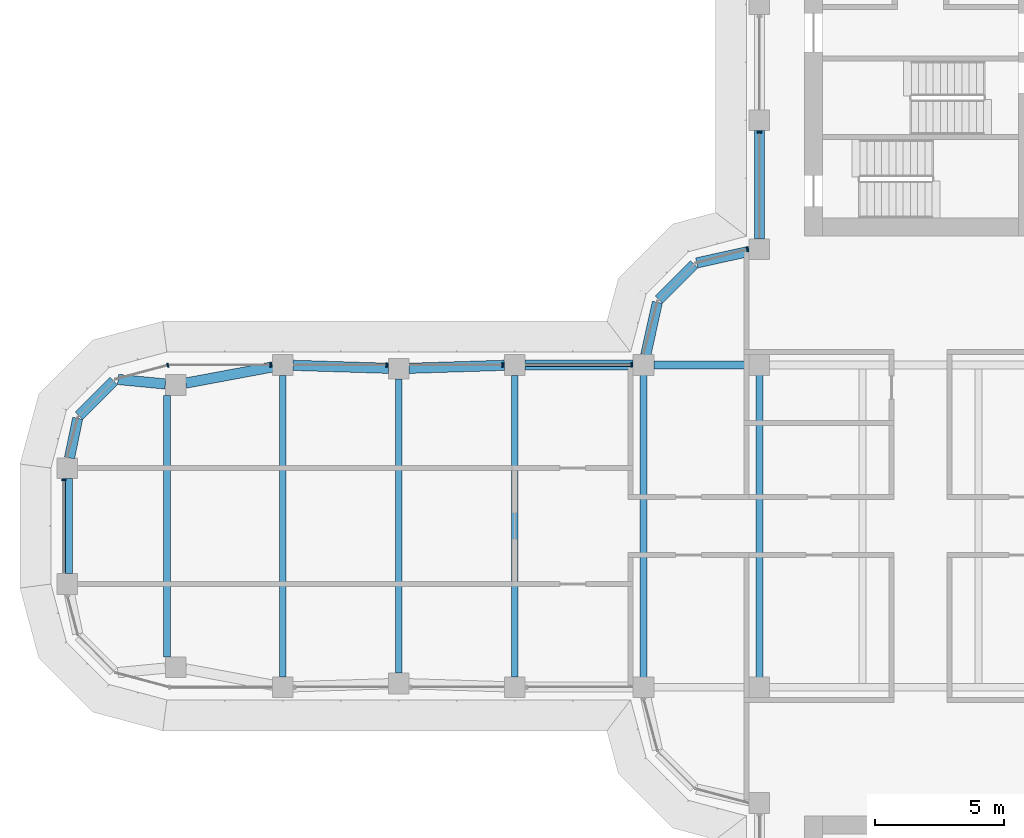
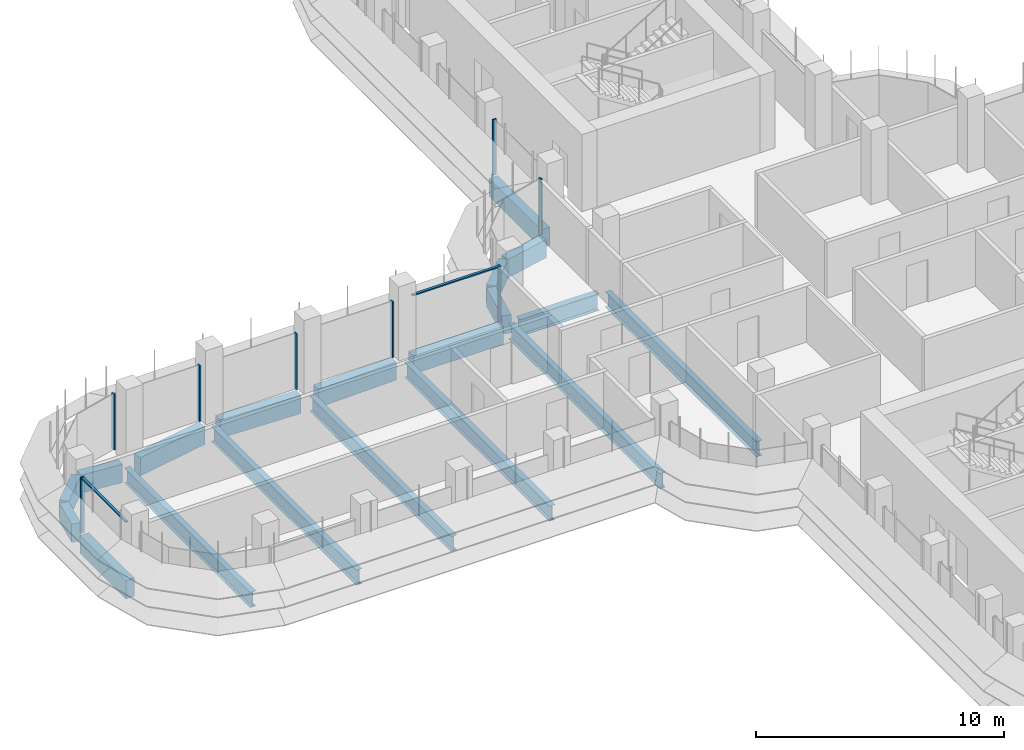
# One storey, part 6 of 20: 19 beams, 10 members, 5 elements without a shape of their own.
"""IFC4 building model written with IfcOpenShell, lengths in metres."""

from ifc_helpers import new_model, si_unit, direction, frame, origin, origin_2d, place, context, subcontext, project, spatial, polyline, rectangle, i_section, outline, extrude, source, transform, mapped, material, material_profile, profile_set, type_object, element, aggregate, save


model = new_model("IFC4")

# Units and contexts
model_context = context("Model", 3, precision=1e-05, world=origin(), true_north=direction((0.0, 1.0)))
body_context = subcontext(model_context, "Body", "Model", "MODEL_VIEW")
ifc_project = project(units=[si_unit("LENGTHUNIT", "METRE"), si_unit("AREAUNIT", "SQUARE_METRE"), si_unit("VOLUMEUNIT", "CUBIC_METRE"), si_unit("PLANEANGLEUNIT", "RADIAN"), si_unit("MASSUNIT", "GRAM", prefix="KILO")], contexts=[model_context])

# Site, building, storey
site_placement = place(None, origin())
site = spatial("IfcSite", under=ifc_project, at=site_placement, CompositionType="ELEMENT")
building_placement = place(site_placement, origin())
building = spatial("IfcBuilding", under=site, at=building_placement, Name="Zarbagh Exchange Tower", CompositionType="ELEMENT")
storey_placement = place(building_placement, frame((0.0, 0.0, 156.199951171875)))
storey = spatial("IfcBuildingStorey", under=building, at=storey_placement, Name="L37", CompositionType="ELEMENT", Elevation=156.199951171875)

# Beams
ifc_material_1 = material(Name="Steel ASTM A992 Gr 50", Category="steel")
ifc_material_profile_1 = material_profile(ifc_material_1, i_section(OverallWidth=0.26416015625, OverallDepth=0.749267578125, WebThickness=0.011962890625, FlangeThickness=0.015380859375, at=origin_2d()), Name="W30X90")
ifc_profile_set_1 = profile_set([ifc_material_profile_1], Name="Steel ASTM A992 Gr 50")
beam_type_1 = type_object("IfcBeamType", Name="Floor beam W30X90", PredefinedType="BEAM", material=ifc_profile_set_1)
for number, where, z_axis, x_axis, name in (
    (1, (-10.75, -6.10400390625, -0.524658203125), (0.0, 1.0, 0.0), (-1.0, 0.0, 0.0), "Steel floor beam"),
    (2, (-6.25, -6.10400390625, -0.524658203125), (0.0, 1.0, 0.0), (-1.0, 0.0, 0.0), "Steel floor beam"),
):
    element("IfcBeam", number, at=place(storey_placement, frame(where, z_axis=z_axis, x_axis=x_axis)), inside=storey, type_object=beam_type_1, Name=name, PredefinedType="BEAM", context=body_context, shape_type="SweptSolid", body=[
        extrude(i_section(OverallWidth=0.26416015625, OverallDepth=0.749267578125, WebThickness=0.011962890625, FlangeThickness=0.015380859375, at=origin_2d()), origin(), (0.0, 0.0, 1.0), 12.2080078125),
    ])
beam_1_placement = place(storey_placement, frame((-15.75, -5.85009765625, -0.524658203125), z_axis=(0.0, 1.0, 0.0), x_axis=(-1.0, 0.0, 0.0)))
element("IfcBeam", 3, at=beam_1_placement, inside=storey, type_object=beam_type_1, Name="Steel floor beam", PredefinedType="BEAM", context=body_context, shape_type="SweptSolid", body=[
    extrude(i_section(OverallWidth=0.26416015625, OverallDepth=0.749267578125, WebThickness=0.011962890625, FlangeThickness=0.015380859375, at=origin_2d()), origin(), (0.0, 0.0, 1.0), 11.7001953125),
])
beam_2_placement = place(storey_placement, frame((-20.25, -5.7099609375, -0.524658203125), z_axis=(0.0, 1.0, 0.0), x_axis=(-1.0, 0.0, 0.0)))
element("IfcBeam", 4, at=beam_2_placement, inside=storey, type_object=beam_type_1, Name="Steel floor beam", PredefinedType="BEAM", context=body_context, shape_type="SweptSolid", body=[
    extrude(i_section(OverallWidth=0.26416015625, OverallDepth=0.749267578125, WebThickness=0.011962890625, FlangeThickness=0.015380859375, at=origin_2d()), origin(), (0.0, 0.0, 1.0), 11.419921875),
])
beam_3_placement = place(storey_placement, frame((-24.75, -5.85009765625, -0.524658203125), z_axis=(0.0, 1.0, 0.0), x_axis=(-1.0, 0.0, 0.0)))
element("IfcBeam", 5, at=beam_3_placement, inside=storey, type_object=beam_type_1, Name="Steel floor beam", PredefinedType="BEAM", context=body_context, shape_type="SweptSolid", body=[
    extrude(i_section(OverallWidth=0.26416015625, OverallDepth=0.749267578125, WebThickness=0.011962890625, FlangeThickness=0.015380859375, at=origin_2d()), origin(), (0.0, 0.0, 1.0), 11.7001953125),
])
beam_4_placement = place(storey_placement, frame((-29.25, -5.074951171875, -0.524658203125), z_axis=(0.0, 1.0, 0.0), x_axis=(-1.0, 0.0, 0.0)))
element("IfcBeam", 6, at=beam_4_placement, inside=storey, type_object=beam_type_1, Name="Steel floor beam", PredefinedType="BEAM", context=body_context, shape_type="SweptSolid", body=[
    extrude(i_section(OverallWidth=0.26416015625, OverallDepth=0.749267578125, WebThickness=0.011962890625, FlangeThickness=0.015380859375, at=origin_2d()), origin(), (0.0, 0.0, 1.0), 10.14990234375),
])
ifc_material_profile_2 = material_profile(ifc_material_1, i_section(OverallWidth=0.2919921875, OverallDepth=0.835693359375, WebThickness=0.013916015625, FlangeThickness=0.018798828125, at=origin_2d()), Name="W33X118")
ifc_profile_set_2 = profile_set([ifc_material_profile_2], Name="Steel ASTM A992 Gr 50")
beam_type_2 = type_object("IfcBeamType", Name="Floor girder W33X118", PredefinedType="BEAM", material=ifc_profile_set_2)
beam_5_placement = place(storey_placement, frame((-10.35009765625, 6.25, -0.56787109375), z_axis=(1.0, 0.0, 0.0), x_axis=(0.0, 1.0, 0.0)))
element("IfcBeam", 7, at=beam_5_placement, inside=storey, type_object=beam_type_2, Name="Steel girder", PredefinedType="BEAM", context=body_context, shape_type="SweptSolid", body=[
    extrude(i_section(OverallWidth=0.2919921875, OverallDepth=0.835693359375, WebThickness=0.013916015625, FlangeThickness=0.018798828125, at=origin_2d()), origin(), (0.0, 0.0, 1.0), 3.7001953125),
])
ifc_material_2 = material(Name="Concrete C50/60", Category="concrete")
ifc_material_profile_3 = material_profile(ifc_material_2, rectangle(XDim=0.39990234375, YDim=0.89990234375, at=origin_2d()), Name="RC spandrel beam 400 x 900 C50/60")
ifc_profile_set_3 = profile_set([ifc_material_profile_3], Name="Concrete C50/60")
beam_type_3 = type_object("IfcBeamType", Name="RC spandrel beam 400 x 900 C50/60", PredefinedType="SPANDREL", material=ifc_profile_set_3)
beam_6_placement = place(storey_placement, frame((-33.110107421875, -1.85009765625, -0.599853515625), z_axis=(0.0, 1.0, 0.0), x_axis=(-1.0, 0.0, 0.0)))
element("IfcBeam", 8, at=beam_6_placement, inside=storey, type_object=beam_type_3, Name="RC spandrel beam", PredefinedType="SPANDREL", context=body_context, shape_type="SweptSolid", body=[
    extrude(rectangle(XDim=0.39990234375, YDim=0.89990234375, at=origin_2d()), origin(), (0.0, 0.0, 1.0), 3.7001953125),
])
beam_7_placement = place(storey_placement, frame((-33.029052734375, 2.6416015625, -0.599853515625), z_axis=(0.20216948151, 0.979350550491, 0.0), x_axis=(-0.979350550491, 0.20216948151, 0.0)))
element("IfcBeam", 9, at=beam_7_placement, inside=storey, type_object=beam_type_3, Name="RC spandrel beam", PredefinedType="SPANDREL", context=body_context, shape_type="SweptSolid", body=[
    extrude(rectangle(XDim=0.39990234375, YDim=0.89990234375, at=origin_2d()), origin(), (0.0, 0.0, 1.0), 1.573486328125),
])
beam_8_placement = place(storey_placement, frame((-32.656494140625, 4.283447265625, -0.599853515625), z_axis=(0.707106781187, 0.707106781187, 0.0), x_axis=(-0.707106781187, 0.707106781187, 0.0)))
element("IfcBeam", 10, at=beam_8_placement, inside=storey, type_object=beam_type_3, Name="RC spandrel beam", PredefinedType="SPANDREL", context=body_context, shape_type="SweptSolid", body=[
    extrude(rectangle(XDim=0.39990234375, YDim=0.89990234375, at=origin_2d()), origin(), (0.0, 0.0, 1.0), 1.9072265625),
])
beam_9_placement = place(storey_placement, frame((-31.147216796875, 5.689697265625, -0.599853515625), z_axis=(0.995435353267, -0.095438239015, 0.0), x_axis=(0.095438239015, 0.995435353267, 0.0)))
element("IfcBeam", 11, at=beam_9_placement, inside=storey, type_object=beam_type_3, Name="RC spandrel beam", PredefinedType="SPANDREL", context=body_context, shape_type="SweptSolid", body=[
    extrude(rectangle(XDim=0.39990234375, YDim=0.89990234375, at=origin_2d()), origin(), (0.0, 0.0, 1.0), 1.849609375),
])
beam_10_placement = place(storey_placement, frame((-28.514892578125, 5.54833984375, -0.599853515625), z_axis=(0.983069862768, 0.183231124313, 0.0), x_axis=(-0.183231124313, 0.983069862768, 0.0)))
element("IfcBeam", 12, at=beam_10_placement, inside=storey, type_object=beam_type_3, Name="RC spandrel beam", PredefinedType="SPANDREL", context=body_context, shape_type="SweptSolid", body=[
    extrude(rectangle(XDim=0.39990234375, YDim=0.89990234375, at=origin_2d()), origin(), (0.0, 0.0, 1.0), 3.4296875),
])
for number, where, z_axis, x_axis, name in (
    (13, (-24.35009765625, 6.237548828125, -0.599853515625), (0.999515416033, -0.031127690444, 0.0), (0.031127690444, 0.999515416033, 0.0), "RC spandrel beam"),
    (14, (-19.85009765625, 6.122314453125, -0.599853515625), (0.999515416033, 0.031127690444, 0.0), (-0.031127690444, 0.999515416033, 0.0), "RC spandrel beam"),
):
    element("IfcBeam", number, at=place(storey_placement, frame(where, z_axis=z_axis, x_axis=x_axis)), inside=storey, type_object=beam_type_3, Name=name, PredefinedType="SPANDREL", context=body_context, shape_type="SweptSolid", body=[
        extrude(rectangle(XDim=0.39990234375, YDim=0.89990234375, at=origin_2d()), origin(), (0.0, 0.0, 1.0), 3.701904296875),
    ])
beam_11_placement = place(storey_placement, frame((-15.35009765625, 6.25, -0.599853515625), z_axis=(1.0, 0.0, 0.0), x_axis=(0.0, 1.0, 0.0)))
element("IfcBeam", 15, at=beam_11_placement, inside=storey, type_object=beam_type_3, Name="RC spandrel beam", PredefinedType="SPANDREL", context=body_context, shape_type="SweptSolid", body=[
    extrude(rectangle(XDim=0.39990234375, YDim=0.89990234375, at=origin_2d()), origin(), (0.0, 0.0, 1.0), 4.2001953125),
])
beam_12_placement = place(storey_placement, frame((-10.66357421875, 6.640625, -0.599853515625), z_axis=(0.216041061437, 0.976384278741, 0.0), x_axis=(-0.976384278741, 0.216041061437, 0.0)))
element("IfcBeam", 16, at=beam_12_placement, inside=storey, type_object=beam_type_3, Name="RC spandrel beam", PredefinedType="SPANDREL", context=body_context, shape_type="SweptSolid", body=[
    extrude(rectangle(XDim=0.39990234375, YDim=0.89990234375, at=origin_2d()), origin(), (0.0, 0.0, 1.0), 2.0927734375),
])
beam_13_placement = place(storey_placement, frame((-10.15771484375, 8.782470703125, -0.599853515625), z_axis=(0.707106781187, 0.707106781187, 0.0), x_axis=(-0.707106781187, 0.707106781187, 0.0)))
element("IfcBeam", 17, at=beam_13_placement, inside=storey, type_object=beam_type_3, Name="RC spandrel beam", PredefinedType="SPANDREL", context=body_context, shape_type="SweptSolid", body=[
    extrude(rectangle(XDim=0.39990234375, YDim=0.89990234375, at=origin_2d()), origin(), (0.0, 0.0, 1.0), 1.94482421875),
])
beam_14_placement = place(storey_placement, frame((-8.68408203125, 10.21142578125, -0.599853515625), z_axis=(0.976384278741, 0.216041061437, 0.0), x_axis=(-0.216041061437, 0.976384278741, 0.0)))
element("IfcBeam", 18, at=beam_14_placement, inside=storey, type_object=beam_type_3, Name="RC spandrel beam", PredefinedType="SPANDREL", context=body_context, shape_type="SweptSolid", body=[
    extrude(rectangle(XDim=0.39990234375, YDim=0.89990234375, at=origin_2d()), origin(), (0.0, 0.0, 1.0), 2.0927734375),
])
beam_15_placement = place(storey_placement, frame((-6.25, 11.14990234375, -0.599853515625), z_axis=(0.0, 1.0, 0.0), x_axis=(-1.0, 0.0, 0.0)))
element("IfcBeam", 19, at=beam_15_placement, inside=storey, type_object=beam_type_3, Name="RC spandrel beam", PredefinedType="SPANDREL", context=body_context, shape_type="SweptSolid", body=[
    extrude(rectangle(XDim=0.39990234375, YDim=0.89990234375, at=origin_2d()), origin(), (0.0, 0.0, 1.0), 4.2001953125),
])

# Curtain wall, member
ifc_material_3 = material(Name="Anodised aluminium frame and glazing", Category="aluminium")
curtain_wall_type = type_object("IfcCurtainWallType", Name="CWB Ribbon glazing, upper zones", PredefinedType="NOTDEFINED", material=ifc_material_3)
curtain_wall_1_placement = place(storey_placement, origin())
curtain_wall_1 = element("IfcCurtainWall", 20, at=curtain_wall_1_placement, inside=storey, type_object=curtain_wall_type, Name="CWB28 curtain wall", PredefinedType="NOTDEFINED")
ifc_material_4 = material(Name="Anodised aluminium frame", Category="aluminium")
member_type_1 = type_object("IfcMemberType", Name="MUB Mullion, anodised aluminium frame", PredefinedType="MULLION", material=ifc_material_4)
shared_shape_1 = source(origin(), body_context, "Body", "SweptSolid", [
    extrude(outline(polyline([(0.0, -0.080078125), (0.06005859375, -0.080078125), (0.06005859375, 0.080078125), (0.0, 0.080078125), (0.0, -0.080078125)])), origin(), (0.0, 0.0, 1.0), 2.75),
])
placement = place(storey_placement, origin())
member_1 = element("IfcMember", 21, at=placement, type_object=member_type_1, Name="CWB28 mullion 4.1", PredefinedType="MULLION", context=body_context, shape_type="MappedRepresentation", body=[
    mapped(shared_shape_1, transform((-6.25, 15.31005859375, 0.0), x_axis=(0.0, -1.0, 0.0), y_axis=(1.0, 0.0, 0.0), z_axis=(0.0, 0.0, 1.0))),
])
aggregate(curtain_wall_1, [member_1])

curtain_wall_2_placement = place(storey_placement, origin())
curtain_wall_2 = element("IfcCurtainWall", 22, at=curtain_wall_2_placement, inside=storey, type_object=curtain_wall_type, Name="CWB29 curtain wall", PredefinedType="NOTDEFINED")
member_2 = element("IfcMember", 23, at=placement, type_object=member_type_1, Name="CWB29 mullion 1.1", PredefinedType="MULLION", context=body_context, shape_type="MappedRepresentation", body=[
    mapped(shared_shape_1, transform((-6.68994140625, 10.74853515625, 0.0), x_axis=(-0.965924289636, -0.258824779902, 0.0), y_axis=(0.258824779902, -0.965924289636, 0.0), z_axis=(0.0, 0.0, 1.0))),
])
aggregate(curtain_wall_2, [member_2])

# Curtain wall, members
curtain_wall_3_placement = place(storey_placement, origin())
curtain_wall_3 = element("IfcCurtainWall", 24, at=curtain_wall_3_placement, inside=storey, type_object=curtain_wall_type, Name="CWB32 curtain wall", PredefinedType="NOTDEFINED")
member_3 = element("IfcMember", 25, at=placement, type_object=member_type_1, Name="CWB32 mullion 1.1", PredefinedType="MULLION", context=body_context, shape_type="MappedRepresentation", body=[
    mapped(shared_shape_1, transform((-11.18994140625, 6.25, 0.0), x_axis=(-1.0, 0.0, 0.0), y_axis=(0.0, -1.0, 0.0), z_axis=(0.0, 0.0, 1.0))),
])
member_4 = element("IfcMember", 26, at=placement, type_object=member_type_1, Name="CWB32 mullion 2.1", PredefinedType="MULLION", context=body_context, shape_type="MappedRepresentation", body=[
    mapped(shared_shape_1, transform((-16.18994140625, 6.25, 0.0), x_axis=(-1.0, 0.0, 0.0), y_axis=(0.0, -1.0, 0.0), z_axis=(0.0, 0.0, 1.0))),
])
member_5 = element("IfcMember", 27, at=placement, type_object=member_type_1, Name="CWB32 mullion 3.1", PredefinedType="MULLION", context=body_context, shape_type="MappedRepresentation", body=[
    mapped(shared_shape_1, transform((-20.68994140625, 6.25, 0.0), x_axis=(-1.0, 0.0, 0.0), y_axis=(0.0, -1.0, 0.0), z_axis=(0.0, 0.0, 1.0))),
])
member_6 = element("IfcMember", 28, at=placement, type_object=member_type_1, Name="CWB32 mullion 4.1", PredefinedType="MULLION", context=body_context, shape_type="MappedRepresentation", body=[
    mapped(shared_shape_1, transform((-25.18994140625, 6.25, 0.0), x_axis=(-1.0, 0.0, 0.0), y_axis=(0.0, -1.0, 0.0), z_axis=(0.0, 0.0, 1.0))),
])

# Curtain wall, member
curtain_wall_4_placement = place(storey_placement, origin())
curtain_wall_4 = element("IfcCurtainWall", 29, at=curtain_wall_4_placement, inside=storey, type_object=curtain_wall_type, Name="CWB33 curtain wall", PredefinedType="NOTDEFINED")
member_7 = element("IfcMember", 30, at=placement, type_object=member_type_1, Name="CWB33 mullion 1.1", PredefinedType="MULLION", context=body_context, shape_type="MappedRepresentation", body=[
    mapped(shared_shape_1, transform((-29.18408203125, 6.25, 0.0), x_axis=(-0.965924289636, -0.258824779902, 0.0), y_axis=(0.258824779902, -0.965924289636, 0.0), z_axis=(0.0, 0.0, 1.0))),
])
aggregate(curtain_wall_4, [member_7])

curtain_wall_5_placement = place(storey_placement, origin())
curtain_wall_5 = element("IfcCurtainWall", 31, at=curtain_wall_5_placement, inside=storey, type_object=curtain_wall_type, Name="CWB36 curtain wall", PredefinedType="NOTDEFINED")
member_8 = element("IfcMember", 32, at=placement, type_object=member_type_1, Name="CWB36 mullion 1.1", PredefinedType="MULLION", context=body_context, shape_type="MappedRepresentation", body=[
    mapped(shared_shape_1, transform((-33.25, 1.81005859375, 0.0), x_axis=(0.0, -1.0, 0.0), y_axis=(1.0, 0.0, 0.0), z_axis=(0.0, 0.0, 1.0))),
])

# Member
member_type_2 = type_object("IfcMemberType", Name="TRB Transom, anodised aluminium frame", PredefinedType="USERDEFINED", material=ifc_material_4)
shared_shape_2 = source(origin(), body_context, "Body", "SweptSolid", [
    extrude(outline(polyline([(-0.06005859375, -0.06005859375), (0.0, -0.06005859375), (0.0, 0.06005859375), (-0.06005859375, 0.06005859375), (-0.06005859375, -0.06005859375)])), origin(), (0.0, 0.0, 1.0), 4.06005859375),
])
member_9 = element("IfcMember", 33, at=placement, type_object=member_type_2, Name="CWB32 transom 1.1", ObjectType="TRANSOM", PredefinedType="USERDEFINED", context=body_context, shape_type="MappedRepresentation", body=[
    mapped(shared_shape_2, transform((-11.25, 6.25, 2.75), x_axis=(0.0, 0.0, 1.0), y_axis=(0.0, 1.0, 0.0), z_axis=(-1.0, 0.0, 0.0))),
])

aggregate(curtain_wall_3, [member_3, member_9, member_4, member_5, member_6])

shared_shape_3 = source(origin(), body_context, "Body", "SweptSolid", [
    extrude(outline(polyline([(-0.06005859375, -0.06005859375), (0.0, -0.06005859375), (0.0, 0.06005859375), (-0.06005859375, 0.06005859375), (-0.06005859375, -0.06005859375)])), origin(), (0.0, 0.0, 1.0), 3.56005859375),
])
member_10 = element("IfcMember", 34, at=placement, type_object=member_type_2, Name="CWB36 transom 1.1", ObjectType="TRANSOM", PredefinedType="USERDEFINED", context=body_context, shape_type="MappedRepresentation", body=[
    mapped(shared_shape_3, transform((-33.25, 1.75, 2.75), x_axis=(0.0, 0.0, 1.0), y_axis=(-1.0, 0.0, 0.0), z_axis=(0.0, -1.0, 0.0))),
])

aggregate(curtain_wall_5, [member_8, member_10])

save(model, "model.ifc")
